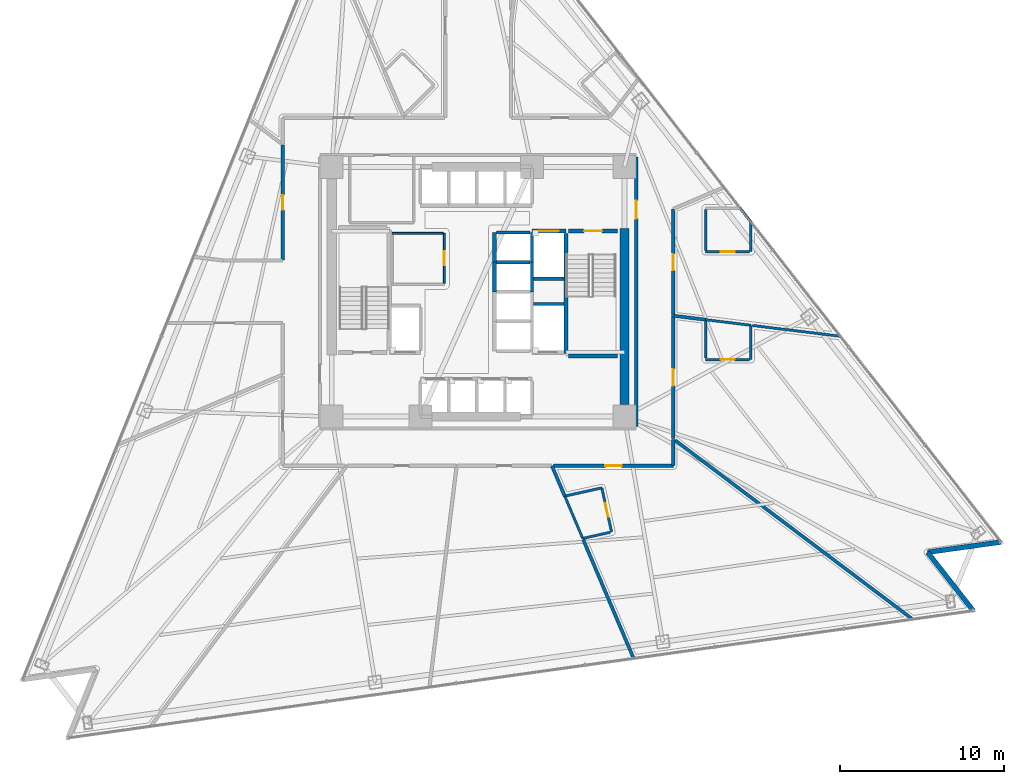
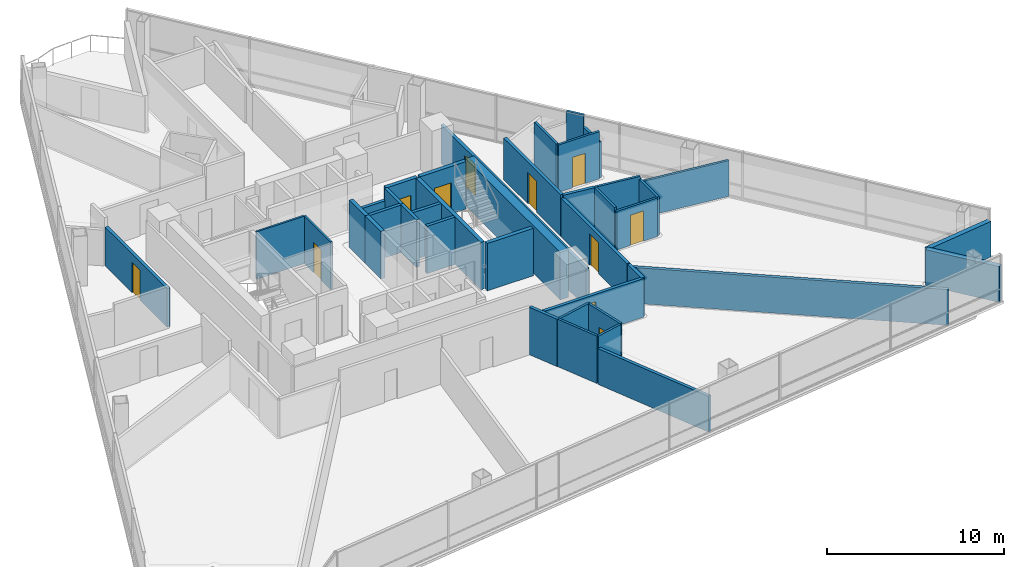
# One storey, part 8 of 15: 40 walls, 11 doors, 11 openings.
"""IFC4 building model written with IfcOpenShell, lengths in metres."""

from ifc_helpers import new_model, si_unit, direction, frame, frame_2d, origin, place, context, subcontext, project, spatial, rectangle, extrude, material, layer, layer_set, type_object, element, fill, save


model = new_model("IFC4")

# Units and contexts
model_context = context("Model", 3, precision=1e-05, world=origin(), true_north=direction((0.0, 1.0)))
body_context = subcontext(model_context, "Body", "Model", "MODEL_VIEW")
ifc_project = project(units=[si_unit("LENGTHUNIT", "METRE"), si_unit("AREAUNIT", "SQUARE_METRE"), si_unit("VOLUMEUNIT", "CUBIC_METRE"), si_unit("PLANEANGLEUNIT", "RADIAN"), si_unit("MASSUNIT", "GRAM", prefix="KILO")], contexts=[model_context])

# Site, building, storey
site_placement = place(None, origin())
site = spatial("IfcSite", under=ifc_project, at=site_placement, CompositionType="ELEMENT")
building_placement = place(site_placement, origin())
building = spatial("IfcBuilding", under=site, at=building_placement, Name="Tharavind Bronze Gate", CompositionType="ELEMENT")
storey_placement = place(building_placement, frame((0.0, 0.0, 74.199951171875)))
storey = spatial("IfcBuildingStorey", under=building, at=storey_placement, Name="L18", CompositionType="ELEMENT", Elevation=74.199951171875)

# Walls
ifc_material_1 = material(Name="Concrete C40/50", Category="concrete")
ifc_layer_1 = layer(ifc_material_1, 0.300048828125)
ifc_layer_set_1 = layer_set([ifc_layer_1], Name="Concrete C40/50")
wall_type_1 = type_object("IfcWallType", Name="EXTERIOR SPANDREL WALL 300", PredefinedType="STANDARD", material=ifc_layer_set_1)
wall_1_placement = place(storey_placement, frame((30.127685546875, -19.399169921875, 0.0), z_axis=(0.0, 0.0, 1.0), x_axis=(-0.615621932091, 0.78804164657, 0.0)))
element("IfcWall", 1, at=wall_1_placement, inside=storey, type_object=wall_type_1, Name="L18 notch cheek wall 3A", PredefinedType="STANDARD", context=body_context, shape_type="SweptSolid", body=[
    extrude(rectangle(XDim=4.5, YDim=0.300048828125, at=frame_2d((2.25, 0.0))), origin(), (0.0, 0.0, 1.0), 2.469970703125),
])
wall_2_placement = place(storey_placement, frame((27.357421875, -15.85302734375, 0.0), z_axis=(0.0, 0.0, 1.0), x_axis=(0.990269200152, 0.139165050317, 0.0)))
element("IfcWall", 2, at=wall_2_placement, inside=storey, type_object=wall_type_1, Name="L18 notch cheek wall 3B", PredefinedType="STANDARD", context=body_context, shape_type="SweptSolid", body=[
    extrude(rectangle(XDim=4.499755859375, YDim=0.300048828125, at=frame_2d((2.25, 0.0))), origin(), (0.0, 0.0, 1.0), 2.469970703125),
])

# Wall, opening, door
ifc_material_2 = material(Name="Aerated Concrete Block", Category="concrete")
ifc_layer_2 = layer(ifc_material_2, 0.199951171875)
ifc_layer_set_2 = layer_set([ifc_layer_2], Name="Aerated Concrete Block")
wall_type_2 = type_object("IfcWallType", Name="FIRE RATED PARTITION 200", PredefinedType="PARTITIONING", material=ifc_layer_set_2)
wall_3_placement = place(storey_placement, frame((9.6201171875, -8.199951171875, 0.0), z_axis=(0.0, 0.0, 1.0), x_axis=(0.0, 1.0, 0.0)))
wall_3 = element("IfcWall", 3, at=wall_3_placement, inside=storey, type_object=wall_type_2, Name="L18 east core corridor wall", PredefinedType="PARTITIONING", context=body_context, shape_type="SweptSolid", body=[
    extrude(rectangle(XDim=16.39990234375, YDim=0.199951171875, at=frame_2d((8.199951171875, 0.0))), origin(), (0.0, 0.0, 1.0), 2.670166015625),
])
opening_1_placement = place(wall_3_placement, frame((12.64990234375, 0.0, 0.0)))
opening_1 = element("IfcOpeningElement", 4, at=opening_1_placement, cuts=wall_3, Name="Opening ID01", PredefinedType="OPENING", context=body_context, shape_type="SweptSolid", body=[
    extrude(rectangle(XDim=1.10009765625, YDim=2.14990234375, at=frame_2d((0.550048828125, 1.074951171875))), frame((0.0, 0.11009765625, 0.0), z_axis=(0.0, -1.0, 0.0), x_axis=(1.0, 0.0, 0.0)), (0.0, 0.0, 1.0), 0.219951171875),
])
ifc_material_3 = material(Name="Fire-Rated Steel", Category="steel")
door_type_1 = type_object("IfcDoorType", Name="STAIR CORE FIRE DOOR 1100X2150", OperationType="SINGLE_SWING_LEFT", PredefinedType="DOOR", material=ifc_material_3)
door_1_placement = place(opening_1_placement, frame((1.10009765625, 0.0, 0.0), z_axis=(0.0, 0.0, 1.0), x_axis=(-1.0, 0.0, 0.0)))
door_1 = element("IfcDoor", 5, at=door_1_placement, inside=storey, type_object=door_type_1, Name="L18 north east stair lobby fire door", OperationType="SINGLE_SWING_LEFT", OverallHeight=2.14990234375, OverallWidth=1.10009765625, PredefinedType="DOOR", context=body_context, shape_type="SweptSolid", body=[
    extrude(rectangle(XDim=1.10009765625, YDim=2.14990234375, at=frame_2d((0.550048828125, 1.074951171875))), frame((0.0, 0.02490234375, 0.0), z_axis=(0.0, -1.0, 0.0), x_axis=(1.0, 0.0, 0.0)), (0.0, 0.0, 1.0), 0.050048828125),
])
fill(opening_1, door_1)

# Walls
wall_4_placement = place(storey_placement, frame((4.497314453125, -10.59521484375, 0.0), z_axis=(0.0, 0.0, 1.0), x_axis=(0.390801207123, -0.920475103689, 0.0)))
element("IfcWall", 6, at=wall_4_placement, inside=storey, type_object=wall_type_2, Name="L18 Public Restrooms Block partition", PredefinedType="PARTITIONING", context=body_context, shape_type="SweptSolid", body=[
    extrude(rectangle(XDim=1.995361328125, YDim=0.199951171875, at=frame_2d((0.99755859375, 0.0))), origin(), (0.0, 0.0, 1.0), 3.275146484375),
])
wall_5_placement = place(storey_placement, frame((6.4013671875, -15.080810546875, 0.0), z_axis=(0.0, 0.0, 1.0), x_axis=(0.390720857349, -0.920509213225, 0.0)))
element("IfcWall", 7, at=wall_5_placement, inside=storey, type_object=wall_type_2, Name="L18 Public Restrooms Block partition", PredefinedType="PARTITIONING", context=body_context, shape_type="SweptSolid", body=[
    extrude(rectangle(XDim=7.845458984375, YDim=0.199951171875, at=frame_2d((3.9228515625, 0.0))), origin(), (0.0, 0.0, 1.0), 2.469970703125),
])

# Wall, opening, door
wall_6_placement = place(storey_placement, frame((-11.8798828125, 8.939697265625, 0.0), z_axis=(0.0, 0.0, 1.0), x_axis=(0.0, -1.0, 0.0)))
wall_6 = element("IfcWall", 8, at=wall_6_placement, inside=storey, type_object=wall_type_2, Name="L18 Housekeeping & Linen Room partition", PredefinedType="PARTITIONING", context=body_context, shape_type="SweptSolid", body=[
    extrude(rectangle(XDim=7.0146484375, YDim=0.199951171875, at=frame_2d((3.50732421875, 0.0))), origin(), (0.0, 0.0, 1.0), 2.670166015625),
])
opening_2_placement = place(wall_6_placement, frame((3.056884765625, 0.0, 0.0)))
opening_2 = element("IfcOpeningElement", 9, at=opening_2_placement, cuts=wall_6, Name="Opening ID07", PredefinedType="OPENING", context=body_context, shape_type="SweptSolid", body=[
    extrude(rectangle(XDim=0.89990234375, YDim=2.10009765625, at=frame_2d((0.449951171875, 1.050048828125))), frame((0.0, 0.11009765625, 0.0), z_axis=(0.0, -1.0, 0.0), x_axis=(1.0, 0.0, 0.0)), (0.0, 0.0, 1.0), 0.219951171875),
])
ifc_material_4 = material(Name="Galvanised Fire Steel", Category="steel")
door_type_2 = type_object("IfcDoorType", Name="PLANT AND RISER FIRE DOOR 900X2100", OperationType="SINGLE_SWING_LEFT", PredefinedType="DOOR", material=ifc_material_4)
door_2_placement = place(opening_2_placement, origin())
door_2 = element("IfcDoor", 10, at=door_2_placement, inside=storey, type_object=door_type_2, Name="L18 Housekeeping & Linen Room door", OperationType="SINGLE_SWING_LEFT", OverallHeight=2.10009765625, OverallWidth=0.89990234375, PredefinedType="DOOR", context=body_context, shape_type="SweptSolid", body=[
    extrude(rectangle(XDim=0.89990234375, YDim=2.10009765625, at=frame_2d((0.449951171875, 1.050048828125))), frame((0.0, 0.02490234375, 0.0), z_axis=(0.0, -1.0, 0.0), x_axis=(1.0, 0.0, 0.0)), (0.0, 0.0, 1.0), 0.050048828125),
])
fill(opening_2, door_2)

wall_7_placement = place(storey_placement, frame((4.60498046875, -10.580078125, 0.0), z_axis=(0.0, 0.0, 1.0), x_axis=(1.0, 0.0, 0.0)))
wall_7 = element("IfcWall", 11, at=wall_7_placement, inside=storey, type_object=wall_type_2, Name="L18 Corner Hotel Suite partition", PredefinedType="PARTITIONING", context=body_context, shape_type="SweptSolid", body=[
    extrude(rectangle(XDim=7.2744140625, YDim=0.199951171875, at=frame_2d((3.63720703125, 0.0))), origin(), (0.0, 0.0, 1.0), 2.670166015625),
])
opening_3_placement = place(wall_7_placement, frame((3.136962890625, 0.0, 0.0)))
opening_3 = element("IfcOpeningElement", 12, at=opening_3_placement, cuts=wall_7, Name="Opening ID03", PredefinedType="OPENING", context=body_context, shape_type="SweptSolid", body=[
    extrude(rectangle(XDim=1.0, YDim=2.14990234375, at=frame_2d((0.5, 1.074951171875))), frame((0.0, 0.11009765625, 0.0), z_axis=(0.0, -1.0, 0.0), x_axis=(1.0, 0.0, 0.0)), (0.0, 0.0, 1.0), 0.219951171875),
])
ifc_material_5 = material(Name="Solid Timber Veneer", Category="wood")
door_type_3 = type_object("IfcDoorType", Name="HOTEL SUITE ENTRANCE DOOR 1000X2150", OperationType="SINGLE_SWING_LEFT", PredefinedType="DOOR", material=ifc_material_5)
door_3_placement = place(opening_3_placement, origin())
door_3 = element("IfcDoor", 13, at=door_3_placement, inside=storey, type_object=door_type_3, Name="L18 Corner Hotel Suite door", OperationType="SINGLE_SWING_LEFT", OverallHeight=2.14990234375, OverallWidth=1.0, PredefinedType="DOOR", context=body_context, shape_type="SweptSolid", body=[
    extrude(rectangle(XDim=1.0, YDim=2.14990234375, at=frame_2d((0.5, 1.074951171875))), frame((0.0, 0.02490234375, 0.0), z_axis=(0.0, -1.0, 0.0), x_axis=(1.0, 0.0, 0.0)), (0.0, 0.0, 1.0), 0.050048828125),
])
fill(opening_3, door_3)

# Walls
wall_8_placement = place(storey_placement, frame((11.8798828125, -10.579345703125, 0.0), z_axis=(0.0, 0.0, 1.0), x_axis=(0.0, 1.0, 0.0)))
element("IfcWall", 14, at=wall_8_placement, inside=storey, type_object=wall_type_2, Name="L18 Corner Hotel Suite partition", PredefinedType="PARTITIONING", context=body_context, shape_type="SweptSolid", body=[
    extrude(rectangle(XDim=1.576904296875, YDim=0.199951171875, at=frame_2d((0.78857421875, 0.0))), origin(), (0.0, 0.0, 1.0), 2.670166015625),
])
wall_9_placement = place(storey_placement, frame((11.985107421875, -9.031494140625, 0.0), z_axis=(0.0, 0.0, 1.0), x_axis=(0.798635951275, -0.601814437623, 0.0)))
element("IfcWall", 15, at=wall_9_placement, inside=storey, type_object=wall_type_2, Name="L18 Corner Hotel Suite partition", PredefinedType="PARTITIONING", context=body_context, shape_type="SweptSolid", body=[
    extrude(rectangle(XDim=18.09033203125, YDim=0.199951171875, at=frame_2d((9.045166015625, 0.0))), origin(), (0.0, 0.0, 1.0), 2.469970703125),
])

# Wall, opening, door
wall_10_placement = place(storey_placement, frame((11.8798828125, -8.939697265625, 0.0), z_axis=(0.0, 0.0, 1.0), x_axis=(0.0, 1.0, 0.0)))
wall_10 = element("IfcWall", 16, at=wall_10_placement, inside=storey, type_object=wall_type_2, Name="L18 Presidential Hotel Suite partition", PredefinedType="PARTITIONING", context=body_context, shape_type="SweptSolid", body=[
    extrude(rectangle(XDim=7.452880859375, YDim=0.199951171875, at=frame_2d((3.7265625, 0.0))), origin(), (0.0, 0.0, 1.0), 2.670166015625),
])
opening_4_placement = place(wall_10_placement, frame((3.22607421875, 0.0, 0.0)))
opening_4 = element("IfcOpeningElement", 17, at=opening_4_placement, cuts=wall_10, Name="Opening ID03", PredefinedType="OPENING", context=body_context, shape_type="SweptSolid", body=[
    extrude(rectangle(XDim=1.0, YDim=2.14990234375, at=frame_2d((0.5, 1.074951171875))), frame((0.0, 0.11009765625, 0.0), z_axis=(0.0, -1.0, 0.0), x_axis=(1.0, 0.0, 0.0)), (0.0, 0.0, 1.0), 0.219951171875),
])
door_4_placement = place(opening_4_placement, origin())
door_4 = element("IfcDoor", 18, at=door_4_placement, inside=storey, type_object=door_type_3, Name="L18 Presidential Hotel Suite door", OperationType="SINGLE_SWING_LEFT", OverallHeight=2.14990234375, OverallWidth=1.0, PredefinedType="DOOR", context=body_context, shape_type="SweptSolid", body=[
    extrude(rectangle(XDim=1.0, YDim=2.14990234375, at=frame_2d((0.5, 1.074951171875))), frame((0.0, 0.02490234375, 0.0), z_axis=(0.0, -1.0, 0.0), x_axis=(1.0, 0.0, 0.0)), (0.0, 0.0, 1.0), 0.050048828125),
])
fill(opening_4, door_4)

# Wall
wall_11_placement = place(storey_placement, frame((11.907958984375, -1.462158203125, 0.0), z_axis=(0.0, 0.0, 1.0), x_axis=(0.992542395946, -0.121899927195, 0.0)))
element("IfcWall", 19, at=wall_11_placement, inside=storey, type_object=wall_type_2, Name="L18 Presidential Hotel Suite partition", PredefinedType="PARTITIONING", context=body_context, shape_type="SweptSolid", body=[
    extrude(rectangle(XDim=1.956787109375, YDim=0.199951171875, at=frame_2d((0.978515625, 0.0))), origin(), (0.0, 0.0, 1.0), 2.8701171875),
])

# Wall, opening, door
wall_12_placement = place(storey_placement, frame((11.8798828125, -1.4365234375, 0.0), z_axis=(0.0, 0.0, 1.0), x_axis=(0.0, 1.0, 0.0)))
wall_12 = element("IfcWall", 20, at=wall_12_placement, inside=storey, type_object=wall_type_2, Name="L18 Royal Hotel Suite partition", PredefinedType="PARTITIONING", context=body_context, shape_type="SweptSolid", body=[
    extrude(rectangle(XDim=6.462646484375, YDim=0.199951171875, at=frame_2d((3.2314453125, 0.0))), origin(), (0.0, 0.0, 1.0), 2.8701171875),
])
opening_5_placement = place(wall_12_placement, frame((2.73095703125, 0.0, 0.0)))
opening_5 = element("IfcOpeningElement", 21, at=opening_5_placement, cuts=wall_12, Name="Opening ID03", PredefinedType="OPENING", context=body_context, shape_type="SweptSolid", body=[
    extrude(rectangle(XDim=1.0, YDim=2.14990234375, at=frame_2d((0.5, 1.074951171875))), frame((0.0, 0.11009765625, 0.0), z_axis=(0.0, -1.0, 0.0), x_axis=(1.0, 0.0, 0.0)), (0.0, 0.0, 1.0), 0.219951171875),
])
door_5_placement = place(opening_5_placement, origin())
door_5 = element("IfcDoor", 22, at=door_5_placement, inside=storey, type_object=door_type_3, Name="L18 Royal Hotel Suite door", OperationType="SINGLE_SWING_LEFT", OverallHeight=2.14990234375, OverallWidth=1.0, PredefinedType="DOOR", context=body_context, shape_type="SweptSolid", body=[
    extrude(rectangle(XDim=1.0, YDim=2.14990234375, at=frame_2d((0.5, 1.074951171875))), frame((0.0, 0.02490234375, 0.0), z_axis=(0.0, -1.0, 0.0), x_axis=(1.0, 0.0, 0.0)), (0.0, 0.0, 1.0), 0.050048828125),
])
fill(opening_5, door_5)

ifc_material_6 = material(Name="Metal Stud Gypsum Partition", Category="gypsum")
ifc_layer_3 = layer(ifc_material_6, 0.1201171875)
ifc_layer_set_3 = layer_set([ifc_layer_3], Name="Metal Stud Gypsum Partition")
wall_type_3 = type_object("IfcWallType", Name="INTERIOR PARTITION WALL 120", PredefinedType="PARTITIONING", material=ifc_layer_set_3)
wall_13_placement = place(storey_placement, frame((-2.050048828125, 0.514892578125, 0.0), z_axis=(0.0, 0.0, 1.0), x_axis=(0.0, 1.0, 0.0)))
wall_13 = element("IfcWall", 23, at=wall_13_placement, inside=storey, type_object=wall_type_3, Name="L18 Electrical & Telecom Store partition 2", PredefinedType="PARTITIONING", context=body_context, shape_type="SweptSolid", body=[
    extrude(rectangle(XDim=3.03515625, YDim=0.1201171875, at=frame_2d((1.517578125, 0.0))), origin(), (0.0, 0.0, 1.0), 3.275146484375),
])
opening_6_placement = place(wall_13_placement, frame((1.092041015625, 0.0, 0.0)))
opening_6 = element("IfcOpeningElement", 24, at=opening_6_placement, cuts=wall_13, Name="Opening ID06", PredefinedType="OPENING", context=body_context, shape_type="SweptSolid", body=[
    extrude(rectangle(XDim=0.85009765625, YDim=2.10009765625, at=frame_2d((0.425048828125, 1.050048828125))), frame((0.0, 0.07005859375, 0.0), z_axis=(0.0, -1.0, 0.0), x_axis=(1.0, 0.0, 0.0)), (0.0, 0.0, 1.0), 0.1401171875),
])
ifc_material_7 = material(Name="Moisture-Resistant Timber", Category="wood")
door_type_4 = type_object("IfcDoorType", Name="BATHROOM PRIVACY DOOR 850X2100", OperationType="SINGLE_SWING_RIGHT", PredefinedType="DOOR", material=ifc_material_7)
door_6_placement = place(opening_6_placement, frame((0.85009765625, 0.0, 0.0), z_axis=(0.0, 0.0, 1.0), x_axis=(-1.0, 0.0, 0.0)))
door_6 = element("IfcDoor", 25, at=door_6_placement, inside=storey, type_object=door_type_4, Name="L18 Electrical & Telecom Store door", OperationType="SINGLE_SWING_RIGHT", OverallHeight=2.10009765625, OverallWidth=0.85009765625, PredefinedType="DOOR", context=body_context, shape_type="SweptSolid", body=[
    extrude(rectangle(XDim=0.85009765625, YDim=2.10009765625, at=frame_2d((0.425048828125, 1.050048828125))), frame((0.0, 0.02490234375, 0.0), z_axis=(0.0, -1.0, 0.0), x_axis=(1.0, 0.0, 0.0)), (0.0, 0.0, 1.0), 0.050048828125),
])
fill(opening_6, door_6)

# Wall
wall_14_placement = place(storey_placement, frame((-2.114990234375, 3.550048828125, 0.0), z_axis=(0.0, 0.0, 1.0), x_axis=(-1.0, 0.0, 0.0)))
element("IfcWall", 26, at=wall_14_placement, inside=storey, type_object=wall_type_3, Name="L18 Electrical & Telecom Store partition 3", PredefinedType="PARTITIONING", context=body_context, shape_type="SweptSolid", body=[
    extrude(rectangle(XDim=3.10498046875, YDim=0.1201171875, at=frame_2d((1.552490234375, 0.0))), origin(), (0.0, 0.0, 1.0), 3.275146484375),
])

# Wall, opening, door
ifc_material_8 = material(Name="Twin Stud Acoustic Gypsum", Category="gypsum")
ifc_layer_4 = layer(ifc_material_8, 0.14990234375)
ifc_layer_set_4 = layer_set([ifc_layer_4], Name="Twin Stud Acoustic Gypsum")
wall_type_4 = type_object("IfcWallType", Name="INTERIOR PARTITION WALL 150", PredefinedType="PARTITIONING", material=ifc_layer_set_4)
wall_15_placement = place(storey_placement, frame((7.530029296875, -11.93115234375, 0.0), z_axis=(0.0, 0.0, 1.0), x_axis=(0.216986861088, -0.976174524414, 0.0)))
wall_15 = element("IfcWall", 27, at=wall_15_placement, inside=storey, type_object=wall_type_4, Name="L18 En-Suite Bathroom partition", PredefinedType="PARTITIONING", context=body_context, shape_type="SweptSolid", body=[
    extrude(rectangle(XDim=2.749755859375, YDim=0.14990234375, at=frame_2d((1.375, 0.0))), origin(), (0.0, 0.0, 1.0), 3.275146484375),
])
opening_7_placement = place(wall_15_placement, frame((0.949951171875, 0.0, 0.0)))
opening_7 = element("IfcOpeningElement", 28, at=opening_7_placement, cuts=wall_15, Name="Opening ID06", PredefinedType="OPENING", context=body_context, shape_type="SweptSolid", body=[
    extrude(rectangle(XDim=0.85009765625, YDim=2.10009765625, at=frame_2d((0.425048828125, 1.050048828125))), frame((0.0, 0.084951171875, 0.0), z_axis=(0.0, -1.0, 0.0), x_axis=(1.0, 0.0, 0.0)), (0.0, 0.0, 1.0), 0.16990234375),
])
door_7_placement = place(opening_7_placement, origin())
door_7 = element("IfcDoor", 29, at=door_7_placement, inside=storey, type_object=door_type_4, Name="L18 En-Suite Bathroom door", OperationType="SINGLE_SWING_RIGHT", OverallHeight=2.10009765625, OverallWidth=0.85009765625, PredefinedType="DOOR", context=body_context, shape_type="SweptSolid", body=[
    extrude(rectangle(XDim=0.85009765625, YDim=2.10009765625, at=frame_2d((0.425048828125, 1.050048828125))), frame((0.0, 0.02490234375, 0.0), z_axis=(0.0, -1.0, 0.0), x_axis=(1.0, 0.0, 0.0)), (0.0, 0.0, 1.0), 0.050048828125),
])
fill(opening_7, door_7)

# Walls
wall_16_placement = place(storey_placement, frame((8.048583984375, -14.633056640625, 0.0), z_axis=(0.0, 0.0, 1.0), x_axis=(-0.976193739746, -0.216900397605, 0.0)))
element("IfcWall", 30, at=wall_16_placement, inside=storey, type_object=wall_type_4, Name="L18 En-Suite Bathroom partition", PredefinedType="PARTITIONING", context=body_context, shape_type="SweptSolid", body=[
    extrude(rectangle(XDim=1.719970703125, YDim=0.14990234375, at=frame_2d((0.85986328125, 0.0))), origin(), (0.0, 0.0, 1.0), 3.275146484375),
])
wall_17_placement = place(storey_placement, frame((6.36962890625, -15.006103515625, 0.0), z_axis=(0.0, 0.0, 1.0), x_axis=(-0.390682122561, 0.920525653695, 0.0)))
element("IfcWall", 31, at=wall_17_placement, inside=storey, type_object=wall_type_4, Name="L18 En-Suite Bathroom partition", PredefinedType="PARTITIONING", context=body_context, shape_type="SweptSolid", body=[
    extrude(rectangle(XDim=2.79638671875, YDim=0.14990234375, at=frame_2d((1.398193359375, 0.0))), origin(), (0.0, 0.0, 1.0), 3.275146484375),
])
wall_18_placement = place(storey_placement, frame((5.3564453125, -12.414306640625, 0.0), z_axis=(0.0, 0.0, 1.0), x_axis=(0.976174158984, 0.216988505069, 0.0)))
element("IfcWall", 32, at=wall_18_placement, inside=storey, type_object=wall_type_4, Name="L18 En-Suite Bathroom partition", PredefinedType="PARTITIONING", context=body_context, shape_type="SweptSolid", body=[
    extrude(rectangle(XDim=2.2265625, YDim=0.14990234375, at=frame_2d((1.11328125, 0.0))), origin(), (0.0, 0.0, 1.0), 3.275146484375),
])
wall_19_placement = place(storey_placement, frame((13.85009765625, -1.70068359375, 0.0), z_axis=(0.0, 0.0, 1.0), x_axis=(0.992557289068, -0.12177860205, 0.0)))
element("IfcWall", 33, at=wall_19_placement, inside=storey, type_object=wall_type_4, Name="L18 En-Suite Bathroom partition", PredefinedType="PARTITIONING", context=body_context, shape_type="SweptSolid", body=[
    extrude(rectangle(XDim=2.7705078125, YDim=0.14990234375, at=frame_2d((1.38525390625, 0.0))), origin(), (0.0, 0.0, 1.0), 2.8701171875),
])
wall_20_placement = place(storey_placement, frame((16.60009765625, -2.0380859375, 0.0), z_axis=(0.0, 0.0, 1.0), x_axis=(0.0, -1.0, 0.0)))
element("IfcWall", 34, at=wall_20_placement, inside=storey, type_object=wall_type_4, Name="L18 En-Suite Bathroom partition", PredefinedType="PARTITIONING", context=body_context, shape_type="SweptSolid", body=[
    extrude(rectangle(XDim=2.085205078125, YDim=0.14990234375, at=frame_2d((1.04248046875, 0.0))), origin(), (0.0, 0.0, 1.0), 2.670166015625),
])

# Wall, opening, door
wall_21_placement = place(storey_placement, frame((16.52001953125, -4.123291015625, 0.0), z_axis=(0.0, 0.0, 1.0), x_axis=(-1.0, 0.0, 0.0)))
wall_21 = element("IfcWall", 35, at=wall_21_placement, inside=storey, type_object=wall_type_4, Name="L18 En-Suite Bathroom partition", PredefinedType="PARTITIONING", context=body_context, shape_type="SweptSolid", body=[
    extrude(rectangle(XDim=2.669921875, YDim=0.14990234375, at=frame_2d((1.3349609375, 0.0))), origin(), (0.0, 0.0, 1.0), 2.670166015625),
])
opening_8_placement = place(wall_21_placement, frame((0.909912109375, 0.0, 0.0)))
opening_8 = element("IfcOpeningElement", 36, at=opening_8_placement, cuts=wall_21, Name="Opening ID06", PredefinedType="OPENING", context=body_context, shape_type="SweptSolid", body=[
    extrude(rectangle(XDim=0.85009765625, YDim=2.10009765625, at=frame_2d((0.425048828125, 1.050048828125))), frame((0.0, 0.084951171875, 0.0), z_axis=(0.0, -1.0, 0.0), x_axis=(1.0, 0.0, 0.0)), (0.0, 0.0, 1.0), 0.16990234375),
])
door_8_placement = place(opening_8_placement, origin())
door_8 = element("IfcDoor", 37, at=door_8_placement, inside=storey, type_object=door_type_4, Name="L18 En-Suite Bathroom door", OperationType="SINGLE_SWING_RIGHT", OverallHeight=2.10009765625, OverallWidth=0.85009765625, PredefinedType="DOOR", context=body_context, shape_type="SweptSolid", body=[
    extrude(rectangle(XDim=0.85009765625, YDim=2.10009765625, at=frame_2d((0.425048828125, 1.050048828125))), frame((0.0, 0.02490234375, 0.0), z_axis=(0.0, -1.0, 0.0), x_axis=(1.0, 0.0, 0.0)), (0.0, 0.0, 1.0), 0.050048828125),
])
fill(opening_8, door_8)

# Walls
wall_22_placement = place(storey_placement, frame((13.85009765625, -4.04345703125, 0.0), z_axis=(0.0, 0.0, 1.0), x_axis=(0.0, 1.0, 0.0)))
element("IfcWall", 38, at=wall_22_placement, inside=storey, type_object=wall_type_4, Name="L18 En-Suite Bathroom partition", PredefinedType="PARTITIONING", context=body_context, shape_type="SweptSolid", body=[
    extrude(rectangle(XDim=2.26220703125, YDim=0.14990234375, at=frame_2d((1.131103515625, 0.0))), origin(), (0.0, 0.0, 1.0), 2.8701171875),
])
wall_23_placement = place(storey_placement, frame((15.9375, 5.09375, 0.0), z_axis=(0.0, 0.0, 1.0), x_axis=(0.615635238078, -0.788031251688, 0.0)))
element("IfcWall", 39, at=wall_23_placement, inside=storey, type_object=wall_type_4, Name="L18 En-Suite Bathroom partition", PredefinedType="PARTITIONING", context=body_context, shape_type="SweptSolid", body=[
    extrude(rectangle(XDim=1.076171875, YDim=0.14990234375, at=frame_2d((0.5380859375, 0.0))), origin(), (0.0, 0.0, 1.0), 3.275146484375),
])
wall_24_placement = place(storey_placement, frame((16.60009765625, 4.24560546875, 0.0), z_axis=(0.0, 0.0, 1.0), x_axis=(0.0, -1.0, 0.0)))
element("IfcWall", 40, at=wall_24_placement, inside=storey, type_object=wall_type_4, Name="L18 En-Suite Bathroom partition", PredefinedType="PARTITIONING", context=body_context, shape_type="SweptSolid", body=[
    extrude(rectangle(XDim=1.802001953125, YDim=0.14990234375, at=frame_2d((0.90087890625, 0.0))), origin(), (0.0, 0.0, 1.0), 2.469970703125),
])

# Wall, opening, door
wall_25_placement = place(storey_placement, frame((16.52001953125, 2.443603515625, 0.0), z_axis=(0.0, 0.0, 1.0), x_axis=(-1.0, 0.0, 0.0)))
wall_25 = element("IfcWall", 41, at=wall_25_placement, inside=storey, type_object=wall_type_4, Name="L18 En-Suite Bathroom partition", PredefinedType="PARTITIONING", context=body_context, shape_type="SweptSolid", body=[
    extrude(rectangle(XDim=2.669921875, YDim=0.14990234375, at=frame_2d((1.3349609375, 0.0))), origin(), (0.0, 0.0, 1.0), 3.275146484375),
])
opening_9_placement = place(wall_25_placement, frame((0.909912109375, 0.0, 0.0)))
opening_9 = element("IfcOpeningElement", 42, at=opening_9_placement, cuts=wall_25, Name="Opening ID06", PredefinedType="OPENING", context=body_context, shape_type="SweptSolid", body=[
    extrude(rectangle(XDim=0.85009765625, YDim=2.10009765625, at=frame_2d((0.425048828125, 1.050048828125))), frame((0.0, 0.084951171875, 0.0), z_axis=(0.0, -1.0, 0.0), x_axis=(1.0, 0.0, 0.0)), (0.0, 0.0, 1.0), 0.16990234375),
])
door_9_placement = place(opening_9_placement, origin())
door_9 = element("IfcDoor", 43, at=door_9_placement, inside=storey, type_object=door_type_4, Name="L18 En-Suite Bathroom door", OperationType="SINGLE_SWING_RIGHT", OverallHeight=2.10009765625, OverallWidth=0.85009765625, PredefinedType="DOOR", context=body_context, shape_type="SweptSolid", body=[
    extrude(rectangle(XDim=0.85009765625, YDim=2.10009765625, at=frame_2d((0.425048828125, 1.050048828125))), frame((0.0, 0.02490234375, 0.0), z_axis=(0.0, -1.0, 0.0), x_axis=(1.0, 0.0, 0.0)), (0.0, 0.0, 1.0), 0.050048828125),
])
fill(opening_9, door_9)

# Walls
wall_26_placement = place(storey_placement, frame((13.85009765625, 2.523681640625, 0.0), z_axis=(0.0, 0.0, 1.0), x_axis=(0.0, 1.0, 0.0)))
element("IfcWall", 44, at=wall_26_placement, inside=storey, type_object=wall_type_4, Name="L18 En-Suite Bathroom partition", PredefinedType="PARTITIONING", context=body_context, shape_type="SweptSolid", body=[
    extrude(rectangle(XDim=2.489990234375, YDim=0.14990234375, at=frame_2d((1.2451171875, 0.0))), origin(), (0.0, 0.0, 1.0), 3.275146484375),
])
wall_27_placement = place(storey_placement, frame((16.679931640625, -2.048095703125, 0.0), z_axis=(0.0, 0.0, 1.0), x_axis=(0.992549810679, -0.121839539234, 0.0)))
element("IfcWall", 45, at=wall_27_placement, inside=storey, type_object=wall_type_4, Name="L18 Presidential Hotel Suite partition", PredefinedType="PARTITIONING", context=body_context, shape_type="SweptSolid", body=[
    extrude(rectangle(XDim=5.380126953125, YDim=0.14990234375, at=frame_2d((2.68994140625, 0.0))), origin(), (0.0, 0.0, 1.0), 2.469970703125),
])
ifc_material_9 = material(Name="Concrete C50/60", Category="concrete")
ifc_layer_5 = layer(ifc_material_9, 0.25)
ifc_layer_set_5 = layer_set([ifc_layer_5], Name="Concrete C50/60")
wall_type_5 = type_object("IfcWallType", Name="RC CORE SHEAR WALL 250", PredefinedType="SHEAR", material=ifc_layer_set_5)
wall_28_placement = place(storey_placement, frame((5.35009765625, -3.75, 0.0), z_axis=(0.0, 0.0, 1.0), x_axis=(0.0, 1.0, 0.0)))
element("IfcWall", 46, at=wall_28_placement, inside=storey, type_object=wall_type_5, Name="L18 ST2 shaft west wall", PredefinedType="SHEAR", context=body_context, shape_type="SweptSolid", body=[
    extrude(rectangle(XDim=7.300048828125, YDim=0.25, at=frame_2d((3.64990234375, 0.0))), origin(), (0.0, 0.0, 1.0), 3.275146484375),
])

# Wall, opening, door
wall_29_placement = place(storey_placement, frame((5.5, 3.699951171875, 0.0), z_axis=(0.0, 0.0, 1.0), x_axis=(1.0, 0.0, 0.0)))
wall_29 = element("IfcWall", 47, at=wall_29_placement, inside=storey, type_object=wall_type_5, Name="L18 ST2 shaft north wall", PredefinedType="SHEAR", context=body_context, shape_type="SweptSolid", body=[
    extrude(rectangle(XDim=3.0, YDim=0.25, at=frame_2d((1.5, 0.0))), origin(), (0.0, 0.0, 1.0), 3.275146484375),
])
opening_10_placement = place(wall_29_placement, frame((0.949951171875, 0.0, 0.0)))
opening_10 = element("IfcOpeningElement", 48, at=opening_10_placement, cuts=wall_29, Name="Opening ID01", PredefinedType="OPENING", context=body_context, shape_type="SweptSolid", body=[
    extrude(rectangle(XDim=1.10009765625, YDim=2.14990234375, at=frame_2d((0.550048828125, 1.074951171875))), frame((0.0, 0.135, 0.0), z_axis=(0.0, -1.0, 0.0), x_axis=(1.0, 0.0, 0.0)), (0.0, 0.0, 1.0), 0.27),
])
door_10_placement = place(opening_10_placement, frame((1.10009765625, 0.0, 0.0), z_axis=(0.0, 0.0, 1.0), x_axis=(-1.0, 0.0, 0.0)))
door_10 = element("IfcDoor", 49, at=door_10_placement, inside=storey, type_object=door_type_1, Name="L18 exit stair ST2 fire door", OperationType="SINGLE_SWING_LEFT", OverallHeight=2.14990234375, OverallWidth=1.10009765625, PredefinedType="DOOR", context=body_context, shape_type="SweptSolid", body=[
    extrude(rectangle(XDim=1.10009765625, YDim=2.14990234375, at=frame_2d((0.550048828125, 1.074951171875))), frame((0.0, 0.02490234375, 0.0), z_axis=(0.0, -1.0, 0.0), x_axis=(1.0, 0.0, 0.0)), (0.0, 0.0, 1.0), 0.050048828125),
])
fill(opening_10, door_10)

# Walls
wall_30_placement = place(storey_placement, frame((5.5, -3.89990234375, 0.0), z_axis=(0.0, 0.0, 1.0), x_axis=(1.0, 0.0, 0.0)))
element("IfcWall", 50, at=wall_30_placement, inside=storey, type_object=wall_type_5, Name="L18 ST2 shaft south wall", PredefinedType="SHEAR", context=body_context, shape_type="SweptSolid", body=[
    extrude(rectangle(XDim=3.0, YDim=0.25, at=frame_2d((1.5, 0.0))), origin(), (0.0, 0.0, 1.0), 3.275146484375),
])
for number, where, z_axis, x_axis, name in (
    (51, (1.0, 0.0, 0.0), (0.0, 0.0, 1.0), (0.0, 1.0, 0.0), "L18 lift PL11 shaft front wall"),
    (52, (1.0, 1.800048828125, 0.0), (0.0, 0.0, 1.0), (0.0, 1.0, 0.0), "L18 lift PL12 shaft front wall"),
):
    element("IfcWall", number, at=place(storey_placement, frame(where, z_axis=z_axis, x_axis=x_axis)), inside=storey, type_object=wall_type_5, Name=name, PredefinedType="SHEAR", context=body_context, shape_type="SweptSolid", body=[
        extrude(rectangle(XDim=1.800048828125, YDim=0.25, at=frame_2d((0.89990234375, 0.0))), origin(), (0.0, 0.0, 1.0), 3.275146484375),
    ])

# Wall, opening, door
wall_31_placement = place(storey_placement, frame((3.280029296875, 3.699951171875, 0.0), z_axis=(0.0, 0.0, 1.0), x_axis=(1.0, 0.0, 0.0)))
wall_31 = element("IfcWall", 53, at=wall_31_placement, inside=storey, type_object=wall_type_5, Name="L18 lift FFL2 shaft front wall", PredefinedType="SHEAR", context=body_context, shape_type="SweptSolid", body=[
    extrude(rectangle(XDim=2.070068359375, YDim=0.25, at=frame_2d((1.03515625, 0.0))), origin(), (0.0, 0.0, 1.0), 3.275146484375),
])
opening_11_placement = place(wall_31_placement, frame((0.43505859375, 0.0, 0.0)))
opening_11 = element("IfcOpeningElement", 54, at=opening_11_placement, cuts=wall_31, Name="Opening LD02", PredefinedType="OPENING", context=body_context, shape_type="SweptSolid", body=[
    extrude(rectangle(XDim=1.199951171875, YDim=2.199951171875, at=frame_2d((0.60009765625, 1.10009765625))), frame((0.0, 0.135, 0.0), z_axis=(0.0, -1.0, 0.0), x_axis=(1.0, 0.0, 0.0)), (0.0, 0.0, 1.0), 0.27),
])
ifc_material_10 = material(Name="Brushed Stainless Steel", Category="steel")
door_type_5 = type_object("IfcDoorType", Name="FIREFIGHTING LIFT LANDING DOOR 1200X2200", OperationType="SLIDING_TO_RIGHT", PredefinedType="DOOR", material=ifc_material_10)
door_11_placement = place(opening_11_placement, origin())
door_11 = element("IfcDoor", 55, at=door_11_placement, inside=storey, type_object=door_type_5, Name="L18 lift FFL2 sliding landing door", OperationType="SLIDING_TO_RIGHT", OverallHeight=2.199951171875, OverallWidth=1.199951171875, PredefinedType="DOOR", context=body_context, shape_type="SweptSolid", body=[
    extrude(rectangle(XDim=1.199951171875, YDim=2.199951171875, at=frame_2d((0.60009765625, 1.10009765625))), frame((0.0, 0.02490234375, 0.0), z_axis=(0.0, -1.0, 0.0), x_axis=(1.0, 0.0, 0.0)), (0.0, 0.0, 1.0), 0.050048828125),
])
fill(opening_11, door_11)

# Walls
ifc_material_11 = material(Name="Concrete C60/75", Category="concrete")
ifc_layer_6 = layer(ifc_material_11, 0.550048828125)
ifc_layer_set_6 = layer_set([ifc_layer_6], Name="Concrete C60/75")
wall_type_6 = type_object("IfcWallType", Name="RC CORE SHEAR WALL 550", PredefinedType="SHEAR", material=ifc_layer_set_6)
wall_32_placement = place(storey_placement, frame((8.89990234375, -6.85009765625, 0.0), z_axis=(0.0, 0.0, 1.0), x_axis=(0.0, 1.0, 0.0)))
element("IfcWall", 56, at=wall_32_placement, inside=storey, type_object=wall_type_6, Name="L18 east core shear wall", PredefinedType="SHEAR", context=body_context, shape_type="SweptSolid", body=[
    extrude(rectangle(XDim=10.7001953125, YDim=0.550048828125, at=frame_2d((5.35009765625, 0.0))), origin(), (0.0, 0.0, 1.0), 3.275146484375),
])
ifc_layer_7 = layer(ifc_material_1, 0.199951171875)
ifc_layer_set_7 = layer_set([ifc_layer_7], Name="Concrete C40/50")
wall_type_7 = type_object("IfcWallType", Name="SHAFT ENCLOSURE WALL 200", PredefinedType="PARTITIONING", material=ifc_layer_set_7)
wall_33_placement = place(storey_placement, frame((3.280029296875, 0.0, 0.0), z_axis=(0.0, 0.0, 1.0), x_axis=(0.0, 1.0, 0.0)))
element("IfcWall", 57, at=wall_33_placement, inside=storey, type_object=wall_type_7, Name="L18 lift PL11 shaft E enclosure wall", PredefinedType="PARTITIONING", context=body_context, shape_type="SweptSolid", body=[
    extrude(rectangle(XDim=1.800048828125, YDim=0.199951171875, at=frame_2d((0.89990234375, 0.0))), origin(), (0.0, 0.0, 1.0), 3.275146484375),
])
wall_34_placement = place(storey_placement, frame((1.1298828125, 1.800048828125, 0.0), z_axis=(0.0, 0.0, 1.0), x_axis=(1.0, 0.0, 0.0)))
element("IfcWall", 58, at=wall_34_placement, inside=storey, type_object=wall_type_7, Name="L18 lift PL11 shaft N enclosure wall", PredefinedType="PARTITIONING", context=body_context, shape_type="SweptSolid", body=[
    extrude(rectangle(XDim=2.045166015625, YDim=0.199951171875, at=frame_2d((1.0224609375, 0.0))), origin(), (0.0, 0.0, 1.0), 3.275146484375),
])
wall_35_placement = place(storey_placement, frame((3.280029296875, 1.800048828125, 0.0), z_axis=(0.0, 0.0, 1.0), x_axis=(0.0, 1.0, 0.0)))
element("IfcWall", 59, at=wall_35_placement, inside=storey, type_object=wall_type_7, Name="L18 lift PL12 shaft E enclosure wall", PredefinedType="PARTITIONING", context=body_context, shape_type="SweptSolid", body=[
    extrude(rectangle(XDim=1.800048828125, YDim=0.199951171875, at=frame_2d((0.89990234375, 0.0))), origin(), (0.0, 0.0, 1.0), 3.275146484375),
])
wall_36_placement = place(storey_placement, frame((1.1298828125, 3.60009765625, 0.0), z_axis=(0.0, 0.0, 1.0), x_axis=(1.0, 0.0, 0.0)))
element("IfcWall", 60, at=wall_36_placement, inside=storey, type_object=wall_type_7, Name="L18 lift PL12 shaft N enclosure wall", PredefinedType="PARTITIONING", context=body_context, shape_type="SweptSolid", body=[
    extrude(rectangle(XDim=2.045166015625, YDim=0.199951171875, at=frame_2d((1.0224609375, 0.0))), origin(), (0.0, 0.0, 1.0), 2.469970703125),
])
for number, where, z_axis, x_axis, name in (
    (61, (3.385009765625, 0.800048828125, 0.0), (0.0, 0.0, 1.0), (1.0, 0.0, 0.0), "L18 lift FFL2 shaft S enclosure wall"),
    (62, (3.385009765625, -0.75, 0.0), (0.0, 0.0, 1.0), (1.0, 0.0, 0.0), "L18 lift SVL1 shaft N enclosure wall"),
):
    element("IfcWall", number, at=place(storey_placement, frame(where, z_axis=z_axis, x_axis=x_axis)), inside=storey, type_object=wall_type_7, Name=name, PredefinedType="PARTITIONING", context=body_context, shape_type="SweptSolid", body=[
        extrude(rectangle(XDim=1.8349609375, YDim=0.199951171875, at=frame_2d((0.91748046875, 0.0))), origin(), (0.0, 0.0, 1.0), 3.275146484375),
    ])

save(model, "model.ifc")
